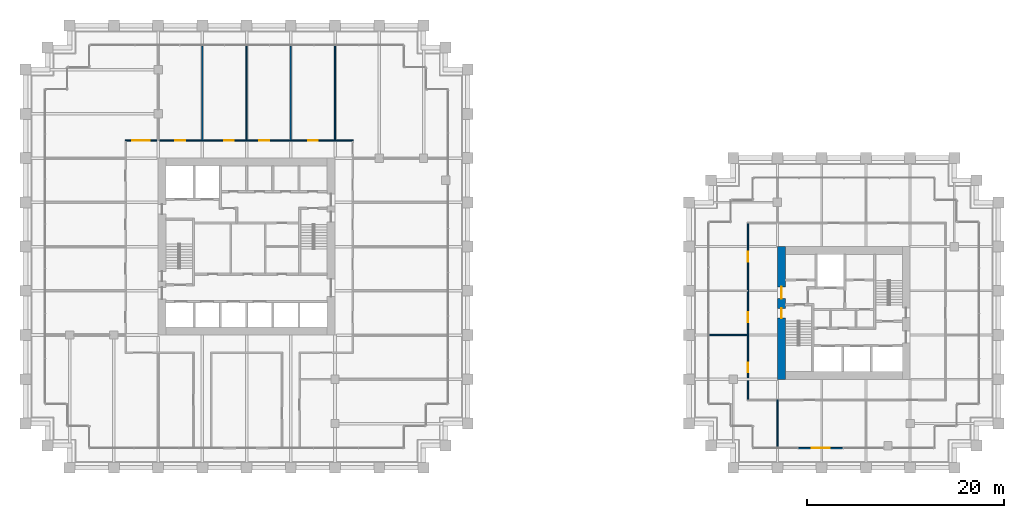
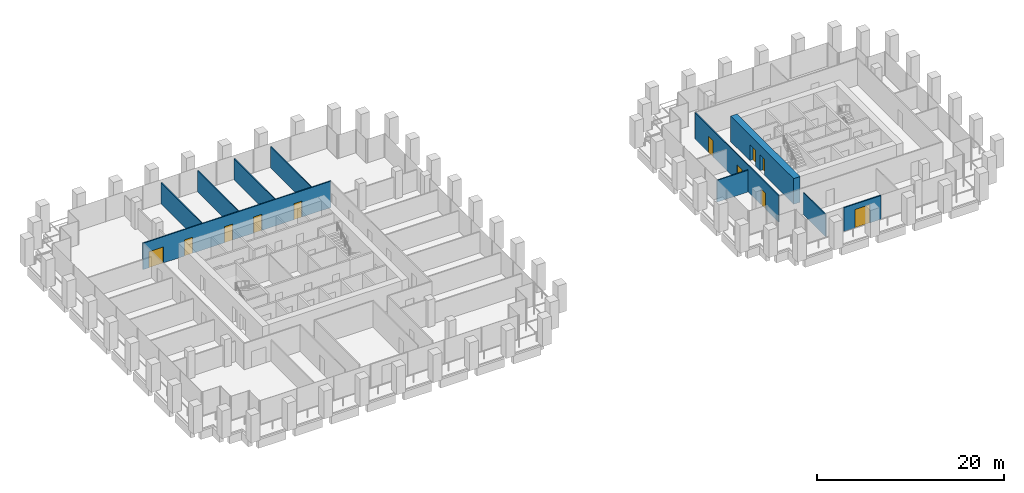
# One storey, part 52 of 56: 11 doors, 10 walls, 11 openings.
"""IFC4 building model written with IfcOpenShell, lengths in metres."""

import ifcopenshell
import ifcopenshell.guid

model = None  # the IFC model being written
_history = None  # IfcOwnerHistory: only IFC2X3 demands one
_inside = {}  # id of a spatial element -> (the spatial element, [elements in it])
_under = {}  # id of a project, library or spatial element -> (it, [spatial elements below it])
_declared = {}  # id of a project -> (the project, [libraries it declares])
_typed = {}  # id of a type object -> (the type object, [elements of that type])
_made_of = {}  # id of a material, layer set ... -> (it, [elements and type objects made of it])


def new_model(schema):
    """Start an empty IFC model of exactly this schema.

    Asked for "IFC4X3", IfcOpenShell would pick the latest addendum, in which some entities
    have other attributes; the version numbers below select the first issue.
    IFC2X3 requires an IfcOwnerHistory on every rooted entity: one is made here for all.
    """
    global model, _history
    if schema == "IFC4X3":
        model = ifcopenshell.file(schema_version=(4, 3, 0, 0))
    else:
        model = ifcopenshell.file(schema=schema)
    _inside.clear()
    _under.clear()
    _declared.clear()
    _typed.clear()
    _made_of.clear()
    _history = None
    if model.schema == "IFC2X3":
        org = make("IfcOrganization", Name="unknown")
        user = make(
            "IfcPersonAndOrganization",
            ThePerson=make("IfcPerson", FamilyName="unknown"),
            TheOrganization=org,
        )
        app = make(
            "IfcApplication",
            ApplicationDeveloper=org,
            Version="unknown",
            ApplicationFullName="unknown",
            ApplicationIdentifier="unknown",
        )
        _history = make(
            "IfcOwnerHistory",
            OwningUser=user,
            OwningApplication=app,
            ChangeAction="ADDED",
            CreationDate=0,
        )
    return model


def make(cls, **values):
    """One entity of the class cls with the attributes given. An attribute that is None is left unset."""
    return model.create_entity(
        cls, **{name: value for name, value in values.items() if value is not None}
    )


def rooted(cls, **values):
    """An entity with a GlobalId (a new one), such as an element, a storey or a relation."""
    return make(cls, GlobalId=ifcopenshell.guid.new(), OwnerHistory=_history, **values)


def si_unit(unit_type, name, prefix=None):
    """IfcSIUnit, for example si_unit("LENGTHUNIT", "METRE", prefix="MILLI")."""
    return make("IfcSIUnit", UnitType=unit_type, Prefix=prefix, Name=name)


def assignment(units):
    """IfcUnitAssignment: the units of a project."""
    return None if units is None else make("IfcUnitAssignment", Units=units)


def point(xyz):
    """IfcCartesianPoint."""
    return None if xyz is None else make("IfcCartesianPoint", Coordinates=xyz)


def direction(xyz):
    """IfcDirection."""
    return None if xyz is None else make("IfcDirection", DirectionRatios=xyz)


def frame(location, z_axis=None, x_axis=None):
    """IfcAxis2Placement3D, a coordinate frame: its origin and axes. An axis left out is left unset."""
    return make(
        "IfcAxis2Placement3D",
        Location=point(location),
        Axis=direction(z_axis),
        RefDirection=direction(x_axis),
    )


def frame_2d(location, x_axis=None):
    """IfcAxis2Placement2D, a coordinate frame in the plane: its origin and x axis."""
    return make(
        "IfcAxis2Placement2D", Location=point(location), RefDirection=direction(x_axis)
    )


def origin():
    """The frame at (0, 0, 0) with its axes left unset."""
    return frame((0.0, 0.0, 0.0))


def place(relative_to, where):
    """IfcLocalPlacement: puts the frame where relative to a parent placement (None: the world)."""
    return make(
        "IfcLocalPlacement", PlacementRelTo=relative_to, RelativePlacement=where
    )


def context(
    kind, dimensions, precision=None, world=None, true_north=None, identifier=None
):
    """IfcGeometricRepresentationContext, for example the 3D "Model" context."""
    return make(
        "IfcGeometricRepresentationContext",
        ContextIdentifier=identifier,
        ContextType=kind,
        CoordinateSpaceDimension=dimensions,
        Precision=precision,
        WorldCoordinateSystem=world,
        TrueNorth=true_north,
    )


def subcontext(parent, identifier, kind, view, scale=None):
    """IfcGeometricRepresentationSubContext, for example "Body" below "Model"."""
    return make(
        "IfcGeometricRepresentationSubContext",
        ContextIdentifier=identifier,
        ContextType=kind,
        ParentContext=parent,
        TargetScale=scale,
        TargetView=view,
    )


def project(units=None, contexts=None):
    """IfcProject with its units and contexts."""
    return rooted(
        "IfcProject",
        Name="project",
        RepresentationContexts=contexts,
        UnitsInContext=assignment(units),
    )


def spatial(cls, under=None, at=None, **own):
    """A site, building, storey or space (cls), placed at a placement, below another one or the project."""
    s = rooted(cls, ObjectPlacement=at, **own)
    if under is not None:
        _under.setdefault(under.id(), (under, []))[1].append(s)
    return s


def profile(cls, at=None, kind="AREA", **sizes):
    """A parametric profile (cls). Its sizes go by their IFC names, for example OverallWidth=200.0."""
    return make(cls, ProfileType=kind, Position=at, **sizes)


def rectangle(**sizes):
    """IfcRectangleProfileDef."""
    return profile("IfcRectangleProfileDef", **sizes)


def extrude(swept, where, along, depth):
    """IfcExtrudedAreaSolid: the profile swept, set in the frame where, extruded along a direction by depth."""
    return make(
        "IfcExtrudedAreaSolid",
        SweptArea=swept,
        Position=where,
        ExtrudedDirection=direction(along),
        Depth=depth,
    )


def shape(context_of_items, identifier, shape_type, items):
    """IfcShapeRepresentation: the items that make up one representation, for example the "Body"."""
    return make(
        "IfcShapeRepresentation",
        ContextOfItems=context_of_items,
        RepresentationIdentifier=identifier,
        RepresentationType=shape_type,
        Items=items,
    )


def material(Name=None, Category=None):
    """IfcMaterial."""
    return make("IfcMaterial", Name=Name, Category=Category)


def layer(
    of_material, thickness, ventilated=None, Name=None, Category=None, Priority=None
):
    """IfcMaterialLayer: one layer of a wall or slab, of a material (None: an air gap)."""
    return make(
        "IfcMaterialLayer",
        Material=of_material,
        LayerThickness=thickness,
        IsVentilated=ventilated,
        Name=Name,
        Category=Category,
        Priority=Priority,
    )


def layer_set(layers, Name=None):
    """IfcMaterialLayerSet."""
    return make("IfcMaterialLayerSet", MaterialLayers=layers, LayerSetName=Name)


def made_of(thing, what):
    """Note that an element or type object is made of a material, layer set ...; save() writes the relation."""
    if what is not None:
        _made_of.setdefault(what.id(), (what, []))[1].append(thing)
    return thing


def type_object(cls, material=None, **own):
    """A type object (cls), such as IfcWallType, which elements share."""
    return made_of(rooted(cls, **own), material)


def element(
    cls,
    number,
    at=None,
    inside=None,
    cuts=None,
    type_object=None,
    material=None,
    context=None,
    identifier="Body",
    shape_type=None,
    held_by="IfcProductDefinitionShape",
    body=None,
    shapes=None,
    **own,
):
    """One element of the class cls, such as IfcWall. Its Tag is "e" and its number.

    at: its placement. inside: the storey or other place that contains it. cuts: it is an
    opening in that element (IfcRelVoidsElement). A single representation is given by context,
    identifier, shape_type and body (its items); several are given by shapes. held_by: the class
    of the entity that holds the representations. save() writes the other relations.
    """
    e = rooted(cls, Tag="e%d" % number, ObjectPlacement=at, **own)
    if body is not None:
        shapes = [shape(context, identifier, shape_type, body)]
    if shapes is not None:
        e.Representation = make(held_by, Representations=shapes)
    if inside is not None:
        _inside.setdefault(inside.id(), (inside, []))[1].append(e)
    if cuts is not None:
        rooted(
            "IfcRelVoidsElement", RelatingBuildingElement=cuts, RelatedOpeningElement=e
        )
    if type_object is not None:
        _typed.setdefault(type_object.id(), (type_object, []))[1].append(e)
    return made_of(e, material)


def fill(opening, filler):
    """IfcRelFillsElement: the door or window that sits in an opening."""
    return rooted(
        "IfcRelFillsElement",
        RelatingOpeningElement=opening,
        RelatedBuildingElement=filler,
    )


def aggregate(whole, parts):
    """IfcRelAggregates: a whole, such as a stair, and the parts it consists of."""
    return rooted("IfcRelAggregates", RelatingObject=whole, RelatedObjects=parts)


def save(model, path):
    """Write the relations noted so far, then the file.

    IfcRelAggregates (storeys below a building ...), IfcRelContainedInSpatialStructure (elements
    in a storey), IfcRelDefinesByType, IfcRelAssociatesMaterial and IfcRelDeclares: one each for
    every whole, place, type object, material and project.
    """
    for whole, parts in _under.values():
        aggregate(whole, parts)
    for where, things in _inside.values():
        rooted(
            "IfcRelContainedInSpatialStructure",
            RelatedElements=things,
            RelatingStructure=where,
        )
    for kind, things in _typed.values():
        rooted("IfcRelDefinesByType", RelatedObjects=things, RelatingType=kind)
    for what, things in _made_of.values():
        rooted("IfcRelAssociatesMaterial", RelatedObjects=things, RelatingMaterial=what)
    for by, libraries in _declared.values():
        rooted("IfcRelDeclares", RelatingContext=by, RelatedDefinitions=libraries)
    model.write(path)


model = new_model("IFC4")

# Units and contexts
model_context = context("Model", 3, precision=1e-05, world=origin(), true_north=direction((0.0, 1.0)))
body_context = subcontext(model_context, "Body", "Model", "MODEL_VIEW")
ifc_project = project(units=[si_unit("LENGTHUNIT", "METRE"), si_unit("AREAUNIT", "SQUARE_METRE"), si_unit("VOLUMEUNIT", "CUBIC_METRE"), si_unit("PLANEANGLEUNIT", "RADIAN"), si_unit("MASSUNIT", "GRAM", prefix="KILO")], contexts=[model_context])

# Site, building, storey
site_placement = place(None, origin())
site = spatial("IfcSite", under=ifc_project, at=site_placement, CompositionType="ELEMENT")
building_placement = place(site_placement, origin())
building = spatial("IfcBuilding", under=site, at=building_placement, Name="Altepetl Exchange Towers", CompositionType="ELEMENT")
storey_placement = place(building_placement, frame((0.0, 0.0, 76.199951171875)))
storey = spatial("IfcBuildingStorey", under=building, at=storey_placement, Name="L18", CompositionType="ELEMENT", Elevation=76.199951171875)

# Wall, openings, doors
ifc_material_1 = material(Name="Concrete C70/85", Category="concrete")
ifc_layer_1 = layer(ifc_material_1, 0.800048828125)
ifc_layer_set_1 = layer_set([ifc_layer_1], Name="Concrete C70/85")
wall_type_1 = type_object("IfcWallType", Name="Core wall 800 reinforced concrete", PredefinedType="SHEAR", material=ifc_layer_set_1)
wall_1_placement = place(storey_placement, frame((103.89990234375, 36.0, 0.0), z_axis=(0.0, 0.0, 1.0), x_axis=(0.0, 1.0, 0.0)))
wall_1 = element("IfcWall", 1, at=wall_1_placement, inside=storey, type_object=wall_type_1, Name="wall:B:L18:K-coreW", PredefinedType="SHEAR", context=body_context, shape_type="SweptSolid", body=[
    extrude(rectangle(XDim=13.5, YDim=0.800048828125, at=frame_2d((6.75, 0.0))), origin(), (0.0, 0.0, 1.0), 3.35009765625),
])
opening_1_placement = place(wall_1_placement, frame((8.199951171875, 0.0, 0.0)))
opening_1 = element("IfcOpeningElement", 2, at=opening_1_placement, cuts=wall_1, Name="Opening L18.B60", PredefinedType="OPENING", context=body_context, shape_type="SweptSolid", body=[
    extrude(rectangle(XDim=1.199951171875, YDim=2.10009765625, at=frame_2d((0.60009765625, 1.050048828125))), frame((0.0, 0.41015625, 0.0), z_axis=(0.0, -1.0, 0.0), x_axis=(1.0, 0.0, 0.0)), (0.0, 0.0, 1.0), 0.820068359375),
])
opening_2_placement = place(wall_1_placement, frame((6.22509765625, 0.0, 0.0)))
opening_2 = element("IfcOpeningElement", 3, at=opening_2_placement, cuts=wall_1, Name="Opening L18.B63", PredefinedType="OPENING", context=body_context, shape_type="SweptSolid", body=[
    extrude(rectangle(XDim=1.0, YDim=2.10009765625, at=frame_2d((0.5, 1.050048828125))), frame((0.0, 0.41015625, 0.0), z_axis=(0.0, -1.0, 0.0), x_axis=(1.0, 0.0, 0.0)), (0.0, 0.0, 1.0), 0.820068359375),
])
ifc_material_2 = material(Name="Steel and timber fire door", Category="steel")
door_type_1 = type_object("IfcDoorType", Name="Fire door 1000 x 2100 stair and lobby", OperationType="SINGLE_SWING_LEFT", PredefinedType="DOOR", material=ifc_material_2)
door_1_placement = place(opening_2_placement, frame((1.0, 0.0, 0.0), x_axis=(-1.0, 0.0, 0.0)))
door_1 = element("IfcDoor", 4, at=door_1_placement, inside=storey, type_object=door_type_1, Name="door:B:L18:K-dS1x", OperationType="SINGLE_SWING_RIGHT", OverallHeight=2.10009765625, OverallWidth=1.0, PredefinedType="DOOR", context=body_context, shape_type="SweptSolid", body=[
    extrude(rectangle(XDim=1.0, YDim=2.10009765625, at=frame_2d((0.5, 1.050048828125))), frame((0.0, 0.02490234375, 0.0), z_axis=(0.0, -1.0, 0.0), x_axis=(1.0, 0.0, 0.0)), (0.0, 0.0, 1.0), 0.050048828125),
])
fill(opening_2, door_1)
door_type_2 = type_object("IfcDoorType", Name="Fire door 1200 x 2100 lobby entry", OperationType="SINGLE_SWING_LEFT", PredefinedType="DOOR", material=ifc_material_2)
door_2_placement = place(opening_1_placement, frame((1.199951171875, 0.0, 0.0), x_axis=(-1.0, 0.0, 0.0)))
door_2 = element("IfcDoor", 5, at=door_2_placement, inside=storey, type_object=door_type_2, Name="door:B:L18:K-dLNW", OperationType="SINGLE_SWING_RIGHT", OverallHeight=2.10009765625, OverallWidth=1.199951171875, PredefinedType="DOOR", context=body_context, shape_type="SweptSolid", body=[
    extrude(rectangle(XDim=1.199951171875, YDim=2.10009765625, at=frame_2d((0.60009765625, 1.050048828125))), frame((0.0, 0.02490234375, 0.0), z_axis=(0.0, -1.0, 0.0), x_axis=(1.0, 0.0, 0.0)), (0.0, 0.0, 1.0), 0.050048828125),
])
fill(opening_1, door_2)

# Wall, opening, door
ifc_material_3 = material(Name="Aluminium composite cladding", Category="aluminium")
ifc_layer_2 = layer(ifc_material_3, 0.14990234375)
ifc_layer_set_2 = layer_set([ifc_layer_2], Name="Aluminium composite cladding")
wall_type_2 = type_object("IfcWallType", Name="Infill wall 150 aluminium panel", PredefinedType="SOLIDWALL", material=ifc_layer_set_2)
wall_2_placement = place(storey_placement, frame((105.606201171875, 29.0, 0.0)))
wall_2 = element("IfcWall", 6, at=wall_2_placement, inside=storey, type_object=wall_type_2, Name="Loggia door bay wall", PredefinedType="SOLIDWALL", context=body_context, shape_type="SweptSolid", body=[
    extrude(rectangle(XDim=4.606201171875, YDim=0.14990234375, at=frame_2d((2.30322265625, 0.0))), origin(), (0.0, 0.0, 1.0), 3.10009765625),
])
opening_3_placement = place(wall_2_placement, frame((1.403076171875, 0.0, 0.0)))
opening_3 = element("IfcOpeningElement", 7, at=opening_3_placement, cuts=wall_2, Name="Opening L18.B90", PredefinedType="OPENING", context=body_context, shape_type="SweptSolid", body=[
    extrude(rectangle(XDim=1.800048828125, YDim=2.39990234375, at=frame_2d((0.89990234375, 1.199951171875))), frame((0.0, 0.0849609375, 0.0), z_axis=(0.0, -1.0, 0.0), x_axis=(1.0, 0.0, 0.0)), (0.0, 0.0, 1.0), 0.169921875),
])
ifc_material_4 = material(Name="Aluminium 6063-T6 and glass", Category="aluminium")
door_type_3 = type_object("IfcDoorType", Name="Glazed door pair 1800x2400", OperationType="DOUBLE_DOOR_DOUBLE_SWING", PredefinedType="NOTDEFINED", material=ifc_material_4)
door_3_placement = place(opening_3_placement, frame((1.800048828125, 0.0, 0.0), x_axis=(-1.0, 0.0, 0.0)))
door_3 = element("IfcDoor", 8, at=door_3_placement, inside=storey, type_object=door_type_3, Name="Loggia door", OperationType="DOUBLE_DOOR_DOUBLE_SWING", OverallHeight=2.39990234375, OverallWidth=1.800048828125, PredefinedType="NOTDEFINED", context=body_context, shape_type="SweptSolid", body=[
    extrude(rectangle(XDim=1.800048828125, YDim=2.39990234375, at=frame_2d((0.89990234375, 1.199951171875))), frame((0.0, 0.02490234375, 0.0), z_axis=(0.0, -1.0, 0.0), x_axis=(1.0, 0.0, 0.0)), (0.0, 0.0, 1.0), 0.050048828125),
])
fill(opening_3, door_3)

# Walls
ifc_material_5 = material(Name="Timber panels on aluminium track", Category="wood")
ifc_layer_3 = layer(ifc_material_5, 0.125)
ifc_layer_set_3 = layer_set([ifc_layer_3], Name="Timber panels on aluminium track")
wall_type_3 = type_object("IfcWallType", Name="Operable acoustic partition 125", PredefinedType="MOVABLE", material=ifc_layer_set_3)
for number, where, z_axis, x_axis, name in (
    (9, (45.0, 60.300048828125, 0.0), (0.0, 0.0, 1.0), (0.0, 1.0, 0.0), "wall:A:L18:P27"),
    (10, (49.5, 60.300048828125, 0.0), (0.0, 0.0, 1.0), (0.0, 1.0, 0.0), "wall:A:L18:P29"),
    (11, (54.0, 60.300048828125, 0.0), (0.0, 0.0, 1.0), (0.0, 1.0, 0.0), "wall:A:L18:P31"),
):
    element("IfcWall", number, at=place(storey_placement, frame(where, z_axis=z_axis, x_axis=x_axis)), inside=storey, type_object=wall_type_3, Name=name, PredefinedType="MOVABLE", context=body_context, shape_type="SweptSolid", body=[
        extrude(rectangle(XDim=9.599853515625, YDim=0.125, at=frame_2d((4.7998046875, 0.0))), origin(), (0.0, 0.0, 1.0), 2.76611328125),
    ])
wall_3_placement = place(storey_placement, frame((103.5, 29.10009765625, 0.0), z_axis=(0.0, 0.0, 1.0), x_axis=(0.0, 1.0, 0.0)))
element("IfcWall", 12, at=wall_3_placement, inside=storey, type_object=wall_type_3, Name="wall:B:L18:P08", PredefinedType="MOVABLE", context=body_context, shape_type="SweptSolid", body=[
    extrude(rectangle(XDim=4.7998046875, YDim=0.125, at=frame_2d((2.39990234375, 0.0))), origin(), (0.0, 0.0, 1.0), 2.85107421875),
])

# Wall, openings, doors
ifc_material_6 = material(Name="Gypsum board on steel studs", Category="steel")
ifc_layer_4 = layer(ifc_material_6, 0.125)
ifc_layer_set_4 = layer_set([ifc_layer_4], Name="Gypsum board on steel studs")
wall_type_4 = type_object("IfcWallType", Name="Partition 125 gypsum board on steel studs", PredefinedType="PARTITIONING", material=ifc_layer_set_4)
wall_4_placement = place(storey_placement, frame((37.137451171875, 60.300048828125, 0.0)))
wall_4 = element("IfcWall", 13, at=wall_4_placement, inside=storey, type_object=wall_type_4, Name="wall:A:L18:P20", PredefinedType="PARTITIONING", context=body_context, shape_type="SweptSolid", body=[
    extrude(rectangle(XDim=23.22509765625, YDim=0.125, at=frame_2d((11.612548828125, 0.0))), origin(), (0.0, 0.0, 1.0), 3.449951171875),
])
opening_4_placement = place(wall_4_placement, frame((18.612548828125, 0.0, 0.0)))
opening_4 = element("IfcOpeningElement", 14, at=opening_4_placement, cuts=wall_4, Name="Opening L18.A13", PredefinedType="OPENING", context=body_context, shape_type="SweptSolid", body=[
    extrude(rectangle(XDim=1.0, YDim=2.10009765625, at=frame_2d((0.5, 1.050048828125))), frame((0.0, 0.072509765625, 0.0), z_axis=(0.0, -1.0, 0.0), x_axis=(1.0, 0.0, 0.0)), (0.0, 0.0, 1.0), 0.14501953125),
])
opening_5_placement = place(wall_4_placement, frame((13.657470703125, 0.0, 0.0)))
opening_5 = element("IfcOpeningElement", 15, at=opening_5_placement, cuts=wall_4, Name="Opening L18.A14", PredefinedType="OPENING", context=body_context, shape_type="SweptSolid", body=[
    extrude(rectangle(XDim=1.0, YDim=2.10009765625, at=frame_2d((0.5, 1.050048828125))), frame((0.0, 0.072509765625, 0.0), z_axis=(0.0, -1.0, 0.0), x_axis=(1.0, 0.0, 0.0)), (0.0, 0.0, 1.0), 0.14501953125),
])
opening_6_placement = place(wall_4_placement, frame((10.0673828125, 0.0, 0.0)))
opening_6 = element("IfcOpeningElement", 16, at=opening_6_placement, cuts=wall_4, Name="Opening L18.A15", PredefinedType="OPENING", context=body_context, shape_type="SweptSolid", body=[
    extrude(rectangle(XDim=1.0, YDim=2.10009765625, at=frame_2d((0.5, 1.050048828125))), frame((0.0, 0.072509765625, 0.0), z_axis=(0.0, -1.0, 0.0), x_axis=(1.0, 0.0, 0.0)), (0.0, 0.0, 1.0), 0.14501953125),
])
opening_7_placement = place(wall_4_placement, frame((5.112548828125, 0.0, 0.0)))
opening_7 = element("IfcOpeningElement", 17, at=opening_7_placement, cuts=wall_4, Name="Opening L18.A16", PredefinedType="OPENING", context=body_context, shape_type="SweptSolid", body=[
    extrude(rectangle(XDim=1.0, YDim=2.10009765625, at=frame_2d((0.5, 1.050048828125))), frame((0.0, 0.072509765625, 0.0), z_axis=(0.0, -1.0, 0.0), x_axis=(1.0, 0.0, 0.0)), (0.0, 0.0, 1.0), 0.14501953125),
])
opening_8_placement = place(wall_4_placement, frame((0.70751953125, 0.0, 0.0)))
opening_8 = element("IfcOpeningElement", 18, at=opening_8_placement, cuts=wall_4, Name="Opening L18.A17", PredefinedType="OPENING", context=body_context, shape_type="SweptSolid", body=[
    extrude(rectangle(XDim=1.800048828125, YDim=2.10009765625, at=frame_2d((0.89990234375, 1.050048828125))), frame((0.0, 0.072509765625, 0.0), z_axis=(0.0, -1.0, 0.0), x_axis=(1.0, 0.0, 0.0)), (0.0, 0.0, 1.0), 0.14501953125),
])
door_type_4 = type_object("IfcDoorType", Name="Fire door 1000 x 2100 single leaf", OperationType="SINGLE_SWING_LEFT", PredefinedType="DOOR", material=ifc_material_2)
door_4_placement = place(opening_4_placement, origin())
door_4 = element("IfcDoor", 19, at=door_4_placement, inside=storey, type_object=door_type_4, Name="door:A:L18:13", OperationType="SINGLE_SWING_RIGHT", OverallHeight=2.10009765625, OverallWidth=1.0, PredefinedType="DOOR", context=body_context, shape_type="SweptSolid", body=[
    extrude(rectangle(XDim=1.0, YDim=2.10009765625, at=frame_2d((0.5, 1.050048828125))), frame((0.0, 0.02490234375, 0.0), z_axis=(0.0, -1.0, 0.0), x_axis=(1.0, 0.0, 0.0)), (0.0, 0.0, 1.0), 0.050048828125),
])
fill(opening_4, door_4)
door_5_placement = place(opening_5_placement, origin())
door_5 = element("IfcDoor", 20, at=door_5_placement, inside=storey, type_object=door_type_4, Name="door:A:L18:14", OperationType="SINGLE_SWING_LEFT", OverallHeight=2.10009765625, OverallWidth=1.0, PredefinedType="DOOR", context=body_context, shape_type="SweptSolid", body=[
    extrude(rectangle(XDim=1.0, YDim=2.10009765625, at=frame_2d((0.5, 1.050048828125))), frame((0.0, 0.02490234375, 0.0), z_axis=(0.0, -1.0, 0.0), x_axis=(1.0, 0.0, 0.0)), (0.0, 0.0, 1.0), 0.050048828125),
])
fill(opening_5, door_5)
door_6_placement = place(opening_6_placement, origin())
door_6 = element("IfcDoor", 21, at=door_6_placement, inside=storey, type_object=door_type_4, Name="door:A:L18:15", OperationType="SINGLE_SWING_RIGHT", OverallHeight=2.10009765625, OverallWidth=1.0, PredefinedType="DOOR", context=body_context, shape_type="SweptSolid", body=[
    extrude(rectangle(XDim=1.0, YDim=2.10009765625, at=frame_2d((0.5, 1.050048828125))), frame((0.0, 0.02490234375, 0.0), z_axis=(0.0, -1.0, 0.0), x_axis=(1.0, 0.0, 0.0)), (0.0, 0.0, 1.0), 0.050048828125),
])
fill(opening_6, door_6)
door_7_placement = place(opening_7_placement, origin())
door_7 = element("IfcDoor", 22, at=door_7_placement, inside=storey, type_object=door_type_4, Name="door:A:L18:16", OperationType="SINGLE_SWING_LEFT", OverallHeight=2.10009765625, OverallWidth=1.0, PredefinedType="DOOR", context=body_context, shape_type="SweptSolid", body=[
    extrude(rectangle(XDim=1.0, YDim=2.10009765625, at=frame_2d((0.5, 1.050048828125))), frame((0.0, 0.02490234375, 0.0), z_axis=(0.0, -1.0, 0.0), x_axis=(1.0, 0.0, 0.0)), (0.0, 0.0, 1.0), 0.050048828125),
])
fill(opening_7, door_7)
door_type_5 = type_object("IfcDoorType", Name="Fire door 1800 x 2100 double leaf", OperationType="DOUBLE_DOOR_SINGLE_SWING", PredefinedType="DOOR", material=ifc_material_2)
door_8_placement = place(opening_8_placement, origin())
door_8 = element("IfcDoor", 23, at=door_8_placement, inside=storey, type_object=door_type_5, Name="door:A:L18:17", OperationType="DOUBLE_DOOR_SINGLE_SWING", OverallHeight=2.10009765625, OverallWidth=1.800048828125, PredefinedType="DOOR", context=body_context, shape_type="SweptSolid", body=[
    extrude(rectangle(XDim=1.800048828125, YDim=2.10009765625, at=frame_2d((0.89990234375, 1.050048828125))), frame((0.0, 0.02490234375, 0.0), z_axis=(0.0, -1.0, 0.0), x_axis=(1.0, 0.0, 0.0)), (0.0, 0.0, 1.0), 0.050048828125),
])
fill(opening_8, door_8)

# Walls
wall_5_placement = place(storey_placement, frame((58.5, 60.300048828125, 0.0), z_axis=(0.0, 0.0, 1.0), x_axis=(0.0, 1.0, 0.0)))
element("IfcWall", 24, at=wall_5_placement, inside=storey, type_object=wall_type_4, Name="wall:A:L18:P33", PredefinedType="PARTITIONING", context=body_context, shape_type="SweptSolid", body=[
    extrude(rectangle(XDim=9.599853515625, YDim=0.125, at=frame_2d((4.7998046875, 0.0))), origin(), (0.0, 0.0, 1.0), 2.76611328125),
])
wall_6_placement = place(storey_placement, frame((96.60009765625, 40.5, 0.0)))
element("IfcWall", 25, at=wall_6_placement, inside=storey, type_object=wall_type_4, Name="wall:B:L18:P02", PredefinedType="PARTITIONING", context=body_context, shape_type="SweptSolid", body=[
    extrude(rectangle(XDim=3.89990234375, YDim=0.125, at=frame_2d((1.949951171875, 0.0))), origin(), (0.0, 0.0, 1.0), 2.85107421875),
])

# Wall, openings, doors
wall_7_placement = place(storey_placement, frame((100.5, 33.96240234375, 0.0), z_axis=(0.0, 0.0, 1.0), x_axis=(0.0, 1.0, 0.0)))
wall_7 = element("IfcWall", 26, at=wall_7_placement, inside=storey, type_object=wall_type_4, Name="wall:B:L18:P07", PredefinedType="PARTITIONING", context=body_context, shape_type="SweptSolid", body=[
    extrude(rectangle(XDim=17.875, YDim=0.125, at=frame_2d((8.9375, 0.0))), origin(), (0.0, 0.0, 1.0), 3.449951171875),
])
opening_9_placement = place(wall_7_placement, frame((2.737548828125, 0.0, 0.0)))
opening_9 = element("IfcOpeningElement", 27, at=opening_9_placement, cuts=wall_7, Name="Opening L18.B01", PredefinedType="OPENING", context=body_context, shape_type="SweptSolid", body=[
    extrude(rectangle(XDim=1.0, YDim=2.10009765625, at=frame_2d((0.5, 1.050048828125))), frame((0.0, 0.072509765625, 0.0), z_axis=(0.0, -1.0, 0.0), x_axis=(1.0, 0.0, 0.0)), (0.0, 0.0, 1.0), 0.14501953125),
])
opening_10_placement = place(wall_7_placement, frame((13.987548828125, 0.0, 0.0)))
opening_10 = element("IfcOpeningElement", 28, at=opening_10_placement, cuts=wall_7, Name="Opening L18.B07", PredefinedType="OPENING", context=body_context, shape_type="SweptSolid", body=[
    extrude(rectangle(XDim=1.0, YDim=2.10009765625, at=frame_2d((0.5, 1.050048828125))), frame((0.0, 0.072509765625, 0.0), z_axis=(0.0, -1.0, 0.0), x_axis=(1.0, 0.0, 0.0)), (0.0, 0.0, 1.0), 0.14501953125),
])
opening_11_placement = place(wall_7_placement, frame((7.83251953125, 0.0, 0.0)))
opening_11 = element("IfcOpeningElement", 29, at=opening_11_placement, cuts=wall_7, Name="Opening L18.B08", PredefinedType="OPENING", context=body_context, shape_type="SweptSolid", body=[
    extrude(rectangle(XDim=1.0, YDim=2.10009765625, at=frame_2d((0.5, 1.050048828125))), frame((0.0, 0.072509765625, 0.0), z_axis=(0.0, -1.0, 0.0), x_axis=(1.0, 0.0, 0.0)), (0.0, 0.0, 1.0), 0.14501953125),
])
door_9_placement = place(opening_9_placement, origin())
door_9 = element("IfcDoor", 30, at=door_9_placement, inside=storey, type_object=door_type_4, Name="door:B:L18:01", OperationType="SINGLE_SWING_RIGHT", OverallHeight=2.10009765625, OverallWidth=1.0, PredefinedType="DOOR", context=body_context, shape_type="SweptSolid", body=[
    extrude(rectangle(XDim=1.0, YDim=2.10009765625, at=frame_2d((0.5, 1.050048828125))), frame((0.0, 0.02490234375, 0.0), z_axis=(0.0, -1.0, 0.0), x_axis=(1.0, 0.0, 0.0)), (0.0, 0.0, 1.0), 0.050048828125),
])
fill(opening_9, door_9)
door_10_placement = place(opening_10_placement, origin())
door_10 = element("IfcDoor", 31, at=door_10_placement, inside=storey, type_object=door_type_4, Name="door:B:L18:07", OperationType="SINGLE_SWING_LEFT", OverallHeight=2.10009765625, OverallWidth=1.0, PredefinedType="DOOR", context=body_context, shape_type="SweptSolid", body=[
    extrude(rectangle(XDim=1.0, YDim=2.10009765625, at=frame_2d((0.5, 1.050048828125))), frame((0.0, 0.02490234375, 0.0), z_axis=(0.0, -1.0, 0.0), x_axis=(1.0, 0.0, 0.0)), (0.0, 0.0, 1.0), 0.050048828125),
])
fill(opening_10, door_10)
door_11_placement = place(opening_11_placement, origin())
door_11 = element("IfcDoor", 32, at=door_11_placement, inside=storey, type_object=door_type_4, Name="door:B:L18:08", OperationType="SINGLE_SWING_LEFT", OverallHeight=2.10009765625, OverallWidth=1.0, PredefinedType="DOOR", context=body_context, shape_type="SweptSolid", body=[
    extrude(rectangle(XDim=1.0, YDim=2.10009765625, at=frame_2d((0.5, 1.050048828125))), frame((0.0, 0.02490234375, 0.0), z_axis=(0.0, -1.0, 0.0), x_axis=(1.0, 0.0, 0.0)), (0.0, 0.0, 1.0), 0.050048828125),
])
fill(opening_11, door_11)

save(model, "model.ifc")
